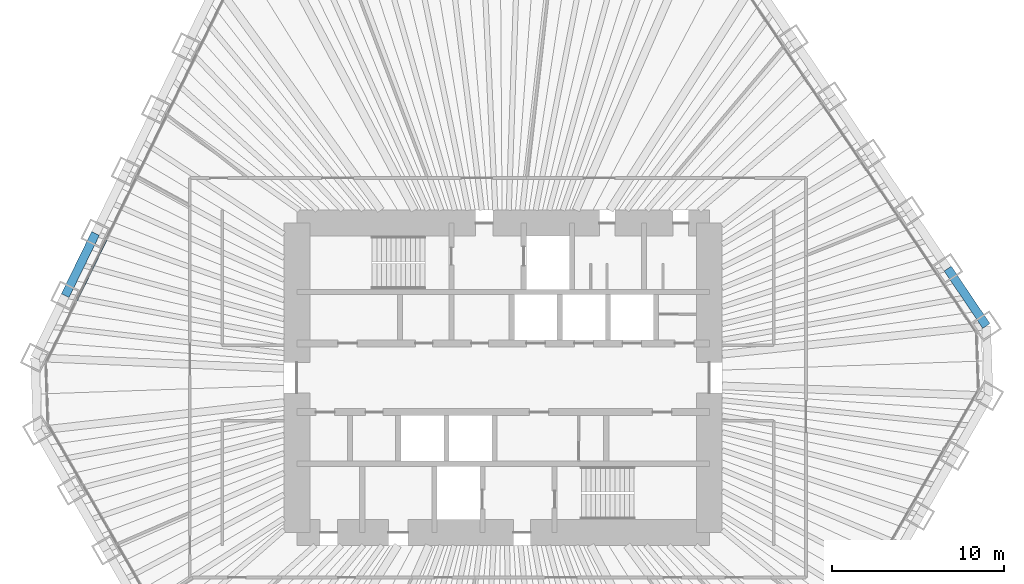
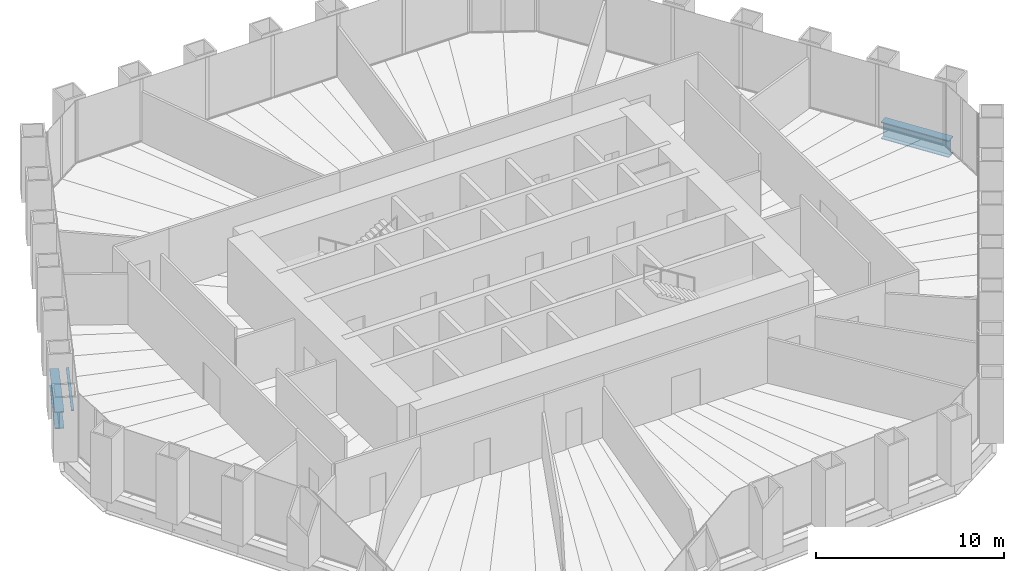
# One storey, part 5 of 13: 2 beams, 1 member, 1 element without a shape of its own.
"""IFC4 building model written with IfcOpenShell, lengths in metres."""

import ifcopenshell
import ifcopenshell.guid

model = None  # the IFC model being written
_history = None  # IfcOwnerHistory: only IFC2X3 demands one
_inside = {}  # id of a spatial element -> (the spatial element, [elements in it])
_under = {}  # id of a project, library or spatial element -> (it, [spatial elements below it])
_declared = {}  # id of a project -> (the project, [libraries it declares])
_typed = {}  # id of a type object -> (the type object, [elements of that type])
_made_of = {}  # id of a material, layer set ... -> (it, [elements and type objects made of it])


def new_model(schema):
    """Start an empty IFC model of exactly this schema.

    Asked for "IFC4X3", IfcOpenShell would pick the latest addendum, in which some entities
    have other attributes; the version numbers below select the first issue.
    IFC2X3 requires an IfcOwnerHistory on every rooted entity: one is made here for all.
    """
    global model, _history
    if schema == "IFC4X3":
        model = ifcopenshell.file(schema_version=(4, 3, 0, 0))
    else:
        model = ifcopenshell.file(schema=schema)
    _inside.clear()
    _under.clear()
    _declared.clear()
    _typed.clear()
    _made_of.clear()
    _history = None
    if model.schema == "IFC2X3":
        org = make("IfcOrganization", Name="unknown")
        user = make(
            "IfcPersonAndOrganization",
            ThePerson=make("IfcPerson", FamilyName="unknown"),
            TheOrganization=org,
        )
        app = make(
            "IfcApplication",
            ApplicationDeveloper=org,
            Version="unknown",
            ApplicationFullName="unknown",
            ApplicationIdentifier="unknown",
        )
        _history = make(
            "IfcOwnerHistory",
            OwningUser=user,
            OwningApplication=app,
            ChangeAction="ADDED",
            CreationDate=0,
        )
    return model


def make(cls, **values):
    """One entity of the class cls with the attributes given. An attribute that is None is left unset."""
    return model.create_entity(
        cls, **{name: value for name, value in values.items() if value is not None}
    )


def rooted(cls, **values):
    """An entity with a GlobalId (a new one), such as an element, a storey or a relation."""
    return make(cls, GlobalId=ifcopenshell.guid.new(), OwnerHistory=_history, **values)


def si_unit(unit_type, name, prefix=None):
    """IfcSIUnit, for example si_unit("LENGTHUNIT", "METRE", prefix="MILLI")."""
    return make("IfcSIUnit", UnitType=unit_type, Prefix=prefix, Name=name)


def assignment(units):
    """IfcUnitAssignment: the units of a project."""
    return None if units is None else make("IfcUnitAssignment", Units=units)


def point(xyz):
    """IfcCartesianPoint."""
    return None if xyz is None else make("IfcCartesianPoint", Coordinates=xyz)


def direction(xyz):
    """IfcDirection."""
    return None if xyz is None else make("IfcDirection", DirectionRatios=xyz)


def frame(location, z_axis=None, x_axis=None):
    """IfcAxis2Placement3D, a coordinate frame: its origin and axes. An axis left out is left unset."""
    return make(
        "IfcAxis2Placement3D",
        Location=point(location),
        Axis=direction(z_axis),
        RefDirection=direction(x_axis),
    )


def frame_2d(location, x_axis=None):
    """IfcAxis2Placement2D, a coordinate frame in the plane: its origin and x axis."""
    return make(
        "IfcAxis2Placement2D", Location=point(location), RefDirection=direction(x_axis)
    )


def origin():
    """The frame at (0, 0, 0) with its axes left unset."""
    return frame((0.0, 0.0, 0.0))


def origin_2d():
    """The frame at (0, 0) in the plane with its x axis left unset."""
    return frame_2d((0.0, 0.0))


def place(relative_to, where):
    """IfcLocalPlacement: puts the frame where relative to a parent placement (None: the world)."""
    return make(
        "IfcLocalPlacement", PlacementRelTo=relative_to, RelativePlacement=where
    )


def context(
    kind, dimensions, precision=None, world=None, true_north=None, identifier=None
):
    """IfcGeometricRepresentationContext, for example the 3D "Model" context."""
    return make(
        "IfcGeometricRepresentationContext",
        ContextIdentifier=identifier,
        ContextType=kind,
        CoordinateSpaceDimension=dimensions,
        Precision=precision,
        WorldCoordinateSystem=world,
        TrueNorth=true_north,
    )


def subcontext(parent, identifier, kind, view, scale=None):
    """IfcGeometricRepresentationSubContext, for example "Body" below "Model"."""
    return make(
        "IfcGeometricRepresentationSubContext",
        ContextIdentifier=identifier,
        ContextType=kind,
        ParentContext=parent,
        TargetScale=scale,
        TargetView=view,
    )


def project(units=None, contexts=None):
    """IfcProject with its units and contexts."""
    return rooted(
        "IfcProject",
        Name="project",
        RepresentationContexts=contexts,
        UnitsInContext=assignment(units),
    )


def spatial(cls, under=None, at=None, **own):
    """A site, building, storey or space (cls), placed at a placement, below another one or the project."""
    s = rooted(cls, ObjectPlacement=at, **own)
    if under is not None:
        _under.setdefault(under.id(), (under, []))[1].append(s)
    return s


def profile(cls, at=None, kind="AREA", **sizes):
    """A parametric profile (cls). Its sizes go by their IFC names, for example OverallWidth=200.0."""
    return make(cls, ProfileType=kind, Position=at, **sizes)


def rectangle(**sizes):
    """IfcRectangleProfileDef."""
    return profile("IfcRectangleProfileDef", **sizes)


def i_section(**sizes):
    """IfcIShapeProfileDef."""
    return profile("IfcIShapeProfileDef", **sizes)


def extrude(swept, where, along, depth):
    """IfcExtrudedAreaSolid: the profile swept, set in the frame where, extruded along a direction by depth."""
    return make(
        "IfcExtrudedAreaSolid",
        SweptArea=swept,
        Position=where,
        ExtrudedDirection=direction(along),
        Depth=depth,
    )


def shape(context_of_items, identifier, shape_type, items):
    """IfcShapeRepresentation: the items that make up one representation, for example the "Body"."""
    return make(
        "IfcShapeRepresentation",
        ContextOfItems=context_of_items,
        RepresentationIdentifier=identifier,
        RepresentationType=shape_type,
        Items=items,
    )


def material(Name=None, Category=None):
    """IfcMaterial."""
    return make("IfcMaterial", Name=Name, Category=Category)


def material_profile(
    of_material, cross_section, Name=None, Category=None, Priority=None
):
    """IfcMaterialProfile: a cross section and its material."""
    return make(
        "IfcMaterialProfile",
        Name=Name,
        Material=of_material,
        Profile=cross_section,
        Priority=Priority,
        Category=Category,
    )


def profile_set(profiles, Name=None, composite=None):
    """IfcMaterialProfileSet."""
    return make(
        "IfcMaterialProfileSet",
        Name=Name,
        MaterialProfiles=profiles,
        CompositeProfile=composite,
    )


def made_of(thing, what):
    """Note that an element or type object is made of a material, layer set ...; save() writes the relation."""
    if what is not None:
        _made_of.setdefault(what.id(), (what, []))[1].append(thing)
    return thing


def type_object(cls, material=None, **own):
    """A type object (cls), such as IfcWallType, which elements share."""
    return made_of(rooted(cls, **own), material)


def element(
    cls,
    number,
    at=None,
    inside=None,
    cuts=None,
    type_object=None,
    material=None,
    context=None,
    identifier="Body",
    shape_type=None,
    held_by="IfcProductDefinitionShape",
    body=None,
    shapes=None,
    **own,
):
    """One element of the class cls, such as IfcWall. Its Tag is "e" and its number.

    at: its placement. inside: the storey or other place that contains it. cuts: it is an
    opening in that element (IfcRelVoidsElement). A single representation is given by context,
    identifier, shape_type and body (its items); several are given by shapes. held_by: the class
    of the entity that holds the representations. save() writes the other relations.
    """
    e = rooted(cls, Tag="e%d" % number, ObjectPlacement=at, **own)
    if body is not None:
        shapes = [shape(context, identifier, shape_type, body)]
    if shapes is not None:
        e.Representation = make(held_by, Representations=shapes)
    if inside is not None:
        _inside.setdefault(inside.id(), (inside, []))[1].append(e)
    if cuts is not None:
        rooted(
            "IfcRelVoidsElement", RelatingBuildingElement=cuts, RelatedOpeningElement=e
        )
    if type_object is not None:
        _typed.setdefault(type_object.id(), (type_object, []))[1].append(e)
    return made_of(e, material)


def aggregate(whole, parts):
    """IfcRelAggregates: a whole, such as a stair, and the parts it consists of."""
    return rooted("IfcRelAggregates", RelatingObject=whole, RelatedObjects=parts)


def save(model, path):
    """Write the relations noted so far, then the file.

    IfcRelAggregates (storeys below a building ...), IfcRelContainedInSpatialStructure (elements
    in a storey), IfcRelDefinesByType, IfcRelAssociatesMaterial and IfcRelDeclares: one each for
    every whole, place, type object, material and project.
    """
    for whole, parts in _under.values():
        aggregate(whole, parts)
    for where, things in _inside.values():
        rooted(
            "IfcRelContainedInSpatialStructure",
            RelatedElements=things,
            RelatingStructure=where,
        )
    for kind, things in _typed.values():
        rooted("IfcRelDefinesByType", RelatedObjects=things, RelatingType=kind)
    for what, things in _made_of.values():
        rooted("IfcRelAssociatesMaterial", RelatedObjects=things, RelatingMaterial=what)
    for by, libraries in _declared.values():
        rooted("IfcRelDeclares", RelatingContext=by, RelatedDefinitions=libraries)
    model.write(path)


model = new_model("IFC4")

# Units and contexts
model_context = context("Model", 3, precision=1e-05, world=origin(), true_north=direction((0.0, 1.0)))
body_context = subcontext(model_context, "Body", "Model", "MODEL_VIEW")
ifc_project = project(units=[si_unit("LENGTHUNIT", "METRE"), si_unit("AREAUNIT", "SQUARE_METRE"), si_unit("VOLUMEUNIT", "CUBIC_METRE"), si_unit("PLANEANGLEUNIT", "RADIAN"), si_unit("MASSUNIT", "GRAM", prefix="KILO")], contexts=[model_context])

# Site, building, storey
site_placement = place(None, origin())
site = spatial("IfcSite", under=ifc_project, at=site_placement, CompositionType="ELEMENT")
building_placement = place(site_placement, origin())
building = spatial("IfcBuilding", under=site, at=building_placement, Name="Qingtian Harvest Tower", CompositionType="ELEMENT")
storey_placement = place(building_placement, frame((0.0, 0.0, 161.800048828125)))
storey = spatial("IfcBuildingStorey", under=building, at=storey_placement, Name="L34", CompositionType="ELEMENT", Elevation=161.800048828125)

# Beams
ifc_material_1 = material(Name="Steel SM570MC", Category="steel")
ifc_material_profile_1 = material_profile(ifc_material_1, i_section(OverallWidth=0.5, OverallDepth=1.10009765625, WebThickness=0.02490234375, FlangeThickness=0.050048828125, at=origin_2d()), Name="H1100x500x25x50")
ifc_profile_set_1 = profile_set([ifc_material_profile_1], Name="Steel SM570MC")
beam_type = type_object("IfcBeamType", Name="Spandrel beam SB2 H1100x500x25x50", PredefinedType="SPANDREL", material=ifc_profile_set_1)
for number, where, z_axis, x_axis, name in (
    (1, (25.8720703125, 6.3505859375, -0.550048828125), (0.55916400171, -0.829057066306, 0.0), (0.829057066306, 0.55916400171, 0.0), "Spandrel SB2 NE5"),
    (2, (-25.483154296875, 4.78125, -0.550048828125), (0.438396105405, 0.89878187274, 0.0), (-0.89878187274, 0.438396105405, 0.0), "Spandrel SB2 NW1"),
):
    element("IfcBeam", number, at=place(storey_placement, frame(where, z_axis=z_axis, x_axis=x_axis)), inside=storey, type_object=beam_type, Name=name, PredefinedType="SPANDREL", context=body_context, shape_type="SweptSolid", body=[
        extrude(i_section(OverallWidth=0.5, OverallDepth=1.10009765625, WebThickness=0.02490234375, FlangeThickness=0.050048828125, at=origin_2d()), origin(), (0.0, 0.0, 1.0), 4.01904296875),
    ])

# Curtain wall, member
ifc_material_2 = material(Name="Bronze-anodised aluminium curtain wall", Category="aluminium")
curtain_wall_type = type_object("IfcCurtainWallType", Name="Curtain wall CW4 office", PredefinedType="USERDEFINED", material=ifc_material_2)
curtain_wall_placement = place(storey_placement, origin())
curtain_wall = element("IfcCurtainWall", 3, at=curtain_wall_placement, inside=storey, type_object=curtain_wall_type, Name="Curtain wall CW4 L34 NW0-5", ObjectType="RECESSED CURTAIN WALL", PredefinedType="USERDEFINED")
ifc_material_3 = material(Name="Bronze-anodised aluminium transom", Category="aluminium")
ifc_material_profile_2 = material_profile(ifc_material_3, rectangle(XDim=0.14990234375, YDim=0.06494140625, at=origin_2d()), Name="AL 65x150")
ifc_profile_set_2 = profile_set([ifc_material_profile_2], Name="Bronze-anodised aluminium transom")
member_type = type_object("IfcMemberType", Name="Transom CWT 65x150", PredefinedType="USERDEFINED", material=ifc_profile_set_2)
member_placement = place(storey_placement, frame((-24.839599609375, 4.503662109375, 0.032470703125), z_axis=(0.438374972828, 0.898792180205, 0.0), x_axis=(-0.898792180205, 0.438374972828, 0.0)))
member = element("IfcMember", 4, at=member_placement, type_object=member_type, Name="CW4 transom 2.1", ObjectType="TRANSOM", PredefinedType="USERDEFINED", context=body_context, shape_type="SweptSolid", body=[
    extrude(rectangle(XDim=0.14990234375, YDim=0.06494140625, at=origin_2d()), origin(), (0.0, 0.0, 1.0), 3.9541015625),
])
aggregate(curtain_wall, [member])

save(model, "model.ifc")
